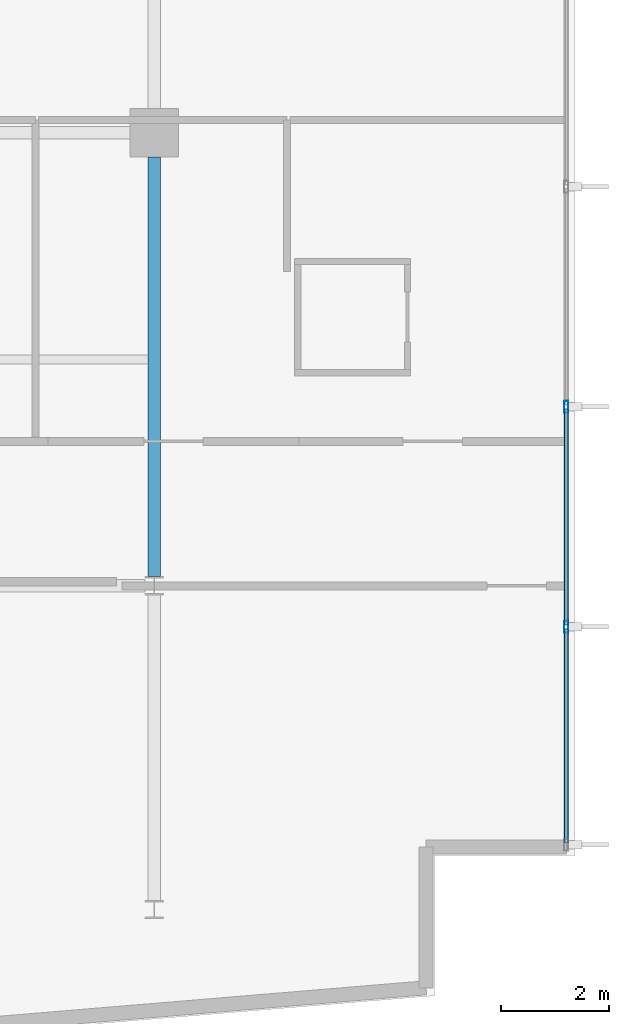
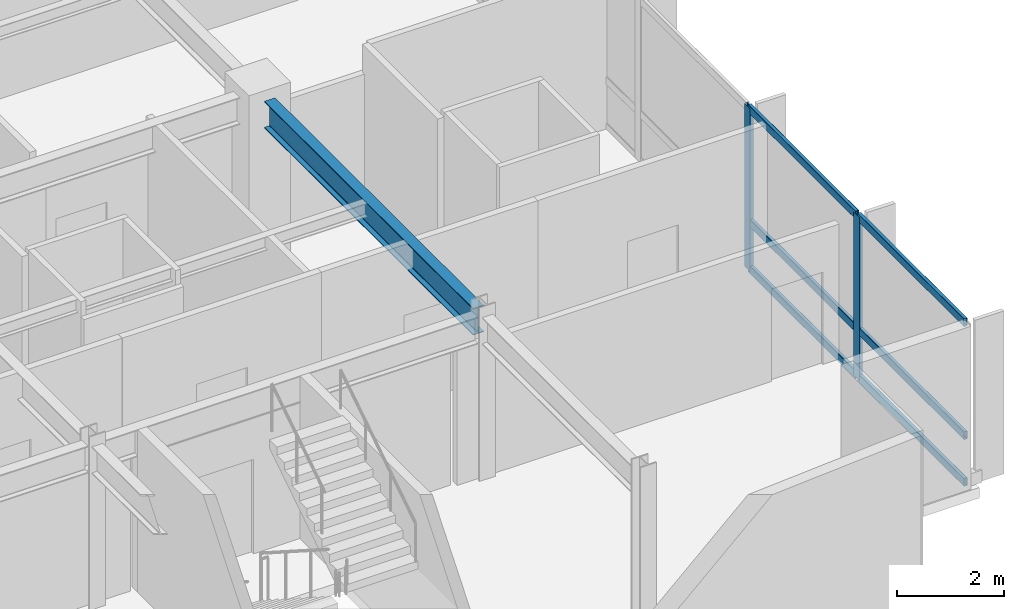
# One storey, part 5 of 20: 8 members, 1 beam, 1 element without a shape of its own.
"""IFC4 building model written with IfcOpenShell, lengths in metres."""

from ifc_helpers import new_model, si_unit, direction, frame, origin, origin_2d, place, context, subcontext, project, spatial, hollow_rectangle, i_section, extrude, material, layer, layer_set, material_profile, profile_set, type_object, element, aggregate, save


model = new_model("IFC4")

# Units and contexts
model_context = context("Model", 3, precision=1e-05, world=origin(), true_north=direction((0.0, 1.0)))
body_context = subcontext(model_context, "Body", "Model", "MODEL_VIEW")
ifc_project = project(units=[si_unit("LENGTHUNIT", "METRE"), si_unit("AREAUNIT", "SQUARE_METRE"), si_unit("VOLUMEUNIT", "CUBIC_METRE"), si_unit("PLANEANGLEUNIT", "RADIAN"), si_unit("MASSUNIT", "GRAM", prefix="KILO")], contexts=[model_context])

# Site, building, storey
site_placement = place(None, origin())
site = spatial("IfcSite", under=ifc_project, at=site_placement, CompositionType="ELEMENT")
building_placement = place(site_placement, origin())
building = spatial("IfcBuilding", under=site, at=building_placement, Name="Varnakote Quay Hospital", CompositionType="ELEMENT")
storey_placement = place(building_placement, frame((0.0, 0.0, 26.449951171875)))
storey = spatial("IfcBuildingStorey", under=building, at=storey_placement, Name="L06", CompositionType="ELEMENT", Elevation=26.449951171875)

# Beam
ifc_material_1 = material(Name="Structural steel AS/NZS 3679.1 Grade 350 L0 (fy 340 MPa)", Category="steel")
ifc_material_profile_1 = material_profile(ifc_material_1, i_section(OverallWidth=0.22900390625, OverallDepth=0.612060546875, WebThickness=0.011962890625, FlangeThickness=0.01953125, FilletRadius=0.013916015625, at=origin_2d()), Name="610UB125")
ifc_profile_set_1 = profile_set([ifc_material_profile_1], Name="Structural steel AS/NZS 3679.1 Grade 350 L0 (fy 340 MPa)")
beam_type = type_object("IfcBeamType", Name="BM-STL-610UB125", PredefinedType="BEAM", material=ifc_profile_set_1)
beam_placement = place(storey_placement, frame((50.39990234375, 12.169921875, 3.404052734375), z_axis=(0.0, 1.0, 0.0), x_axis=(-1.0, 0.0, 0.0)))
element("IfcBeam", 1, at=beam_placement, inside=storey, type_object=beam_type, Name="L06 Primary Tie Beam", PredefinedType="BEAM", context=body_context, shape_type="SweptSolid", body=[
    extrude(i_section(OverallWidth=0.22900390625, OverallDepth=0.612060546875, WebThickness=0.011962890625, FlangeThickness=0.01953125, FilletRadius=0.013916015625, at=origin_2d()), origin(), (0.0, 0.0, 1.0), 7.780029296875),
])

# Curtain wall, members
ifc_material_2 = material(Name="Anodised aluminium 6063-T6 Bronze", Category="aluminium")
ifc_layer = layer(ifc_material_2, 0.18994140625)
ifc_layer_set = layer_set([ifc_layer], Name="Anodised aluminium 6063-T6 Bronze")
curtain_wall_type = type_object("IfcCurtainWallType", Name="CW-SYS-2", PredefinedType="NOTDEFINED", material=ifc_layer_set)
curtain_wall_placement = place(storey_placement, origin())
curtain_wall = element("IfcCurtainWall", 2, at=curtain_wall_placement, inside=storey, type_object=curtain_wall_type, Name="L06 Unitised Bronze Curtain Wall 1", PredefinedType="NOTDEFINED")
ifc_material_3 = material(Name="Anodised aluminium 6063-T6 Bronze", Category="aluminium")
ifc_material_profile_2 = material_profile(ifc_material_3, hollow_rectangle(XDim=0.074951171875, YDim=0.219970703125, WallThickness=0.00439453125, InnerFilletRadius=0.00439453125, OuterFilletRadius=0.009033203125, at=origin_2d()), Name="CW-MULL-220x75")
ifc_profile_set_2 = profile_set([ifc_material_profile_2], Name="Anodised aluminium 6063-T6 Bronze")
member_type_1 = type_object("IfcMemberType", Name="CW-MULL-220x75", PredefinedType="MULLION", material=ifc_profile_set_2)
member_1_placement = place(storey_placement, frame((58.0400390625, 11.239990234375, 0.0), z_axis=(0.0, 0.0, 1.0), x_axis=(-1.0, 0.0, 0.0)))
member_1 = element("IfcMember", 3, at=member_1_placement, type_object=member_type_1, Name="-2-L06-1 mullion 2", PredefinedType="MULLION", context=body_context, shape_type="SweptSolid", body=[
    extrude(hollow_rectangle(XDim=0.074951171875, YDim=0.219970703125, WallThickness=0.00439453125, InnerFilletRadius=0.00439453125, OuterFilletRadius=0.009033203125, at=origin_2d()), origin(), (0.0, 0.0, 1.0), 3.7099609375),
])
member_2_placement = place(storey_placement, frame((58.0400390625, 15.320068359375, 0.0), z_axis=(0.0, 0.0, 1.0), x_axis=(-1.0, 0.0, 0.0)))
member_2 = element("IfcMember", 4, at=member_2_placement, type_object=member_type_1, Name="-2-L06-1 mullion 3", PredefinedType="MULLION", context=body_context, shape_type="SweptSolid", body=[
    extrude(hollow_rectangle(XDim=0.074951171875, YDim=0.219970703125, WallThickness=0.00439453125, InnerFilletRadius=0.00439453125, OuterFilletRadius=0.009033203125, at=origin_2d()), origin(), (0.0, 0.0, 1.0), 3.7099609375),
])
ifc_material_4 = material(Name="Anodised aluminium 6063-T6 Bronze", Category="aluminium")
ifc_material_profile_3 = material_profile(ifc_material_4, hollow_rectangle(XDim=0.074951171875, YDim=0.179931640625, WallThickness=0.004150390625, InnerFilletRadius=0.004150390625, OuterFilletRadius=0.00830078125, at=origin_2d()), Name="CW-TRAN-180x75")
ifc_profile_set_3 = profile_set([ifc_material_profile_3], Name="Anodised aluminium 6063-T6 Bronze")
member_type_2 = type_object("IfcMemberType", Name="CW-TRAN-180x75", PredefinedType="USERDEFINED", material=ifc_profile_set_3)
member_3_placement = place(storey_placement, frame((58.0400390625, 7.235107421875, 0.03759765625), z_axis=(0.0, 1.0, 0.0), x_axis=(-1.0, 0.0, 0.0)))
member_3 = element("IfcMember", 5, at=member_3_placement, type_object=member_type_2, Name="-2-L06-1 transom 1.1", ObjectType="TRANSOM", PredefinedType="USERDEFINED", context=body_context, shape_type="SweptSolid", body=[
    extrude(hollow_rectangle(XDim=0.074951171875, YDim=0.179931640625, WallThickness=0.004150390625, InnerFilletRadius=0.004150390625, OuterFilletRadius=0.00830078125, at=origin_2d()), origin(), (0.0, 0.0, 1.0), 3.96728515625),
])
member_4_placement = place(storey_placement, frame((58.0400390625, 7.235107421875, 1.10009765625), z_axis=(0.0, 1.0, 0.0), x_axis=(-1.0, 0.0, 0.0)))
member_4 = element("IfcMember", 6, at=member_4_placement, type_object=member_type_2, Name="-2-L06-1 transom 1.2", ObjectType="TRANSOM", PredefinedType="USERDEFINED", context=body_context, shape_type="SweptSolid", body=[
    extrude(hollow_rectangle(XDim=0.074951171875, YDim=0.179931640625, WallThickness=0.004150390625, InnerFilletRadius=0.004150390625, OuterFilletRadius=0.00830078125, at=origin_2d()), origin(), (0.0, 0.0, 1.0), 3.96728515625),
])
member_5_placement = place(storey_placement, frame((58.0400390625, 7.235107421875, 3.672607421875), z_axis=(0.0, 1.0, 0.0), x_axis=(-1.0, 0.0, 0.0)))
member_5 = element("IfcMember", 7, at=member_5_placement, type_object=member_type_2, Name="-2-L06-1 transom 1.3", ObjectType="TRANSOM", PredefinedType="USERDEFINED", context=body_context, shape_type="SweptSolid", body=[
    extrude(hollow_rectangle(XDim=0.074951171875, YDim=0.179931640625, WallThickness=0.004150390625, InnerFilletRadius=0.004150390625, OuterFilletRadius=0.00830078125, at=origin_2d()), origin(), (0.0, 0.0, 1.0), 3.96728515625),
])
member_6_placement = place(storey_placement, frame((58.0400390625, 11.277587890625, 0.03759765625), z_axis=(0.0, 1.0, 0.0), x_axis=(-1.0, 0.0, 0.0)))
member_6 = element("IfcMember", 8, at=member_6_placement, type_object=member_type_2, Name="-2-L06-1 transom 2.1", ObjectType="TRANSOM", PredefinedType="USERDEFINED", context=body_context, shape_type="SweptSolid", body=[
    extrude(hollow_rectangle(XDim=0.074951171875, YDim=0.179931640625, WallThickness=0.004150390625, InnerFilletRadius=0.004150390625, OuterFilletRadius=0.00830078125, at=origin_2d()), origin(), (0.0, 0.0, 1.0), 4.0048828125),
])
member_7_placement = place(storey_placement, frame((58.0400390625, 11.277587890625, 1.10009765625), z_axis=(0.0, 1.0, 0.0), x_axis=(-1.0, 0.0, 0.0)))
member_7 = element("IfcMember", 9, at=member_7_placement, type_object=member_type_2, Name="-2-L06-1 transom 2.2", ObjectType="TRANSOM", PredefinedType="USERDEFINED", context=body_context, shape_type="SweptSolid", body=[
    extrude(hollow_rectangle(XDim=0.074951171875, YDim=0.179931640625, WallThickness=0.004150390625, InnerFilletRadius=0.004150390625, OuterFilletRadius=0.00830078125, at=origin_2d()), origin(), (0.0, 0.0, 1.0), 4.0048828125),
])
member_8_placement = place(storey_placement, frame((58.0400390625, 11.277587890625, 3.672607421875), z_axis=(0.0, 1.0, 0.0), x_axis=(-1.0, 0.0, 0.0)))
member_8 = element("IfcMember", 10, at=member_8_placement, type_object=member_type_2, Name="-2-L06-1 transom 2.3", ObjectType="TRANSOM", PredefinedType="USERDEFINED", context=body_context, shape_type="SweptSolid", body=[
    extrude(hollow_rectangle(XDim=0.074951171875, YDim=0.179931640625, WallThickness=0.004150390625, InnerFilletRadius=0.004150390625, OuterFilletRadius=0.00830078125, at=origin_2d()), origin(), (0.0, 0.0, 1.0), 4.0048828125),
])
aggregate(curtain_wall, [member_1, member_2, member_3, member_4, member_5, member_6, member_7, member_8])

save(model, "model.ifc")
